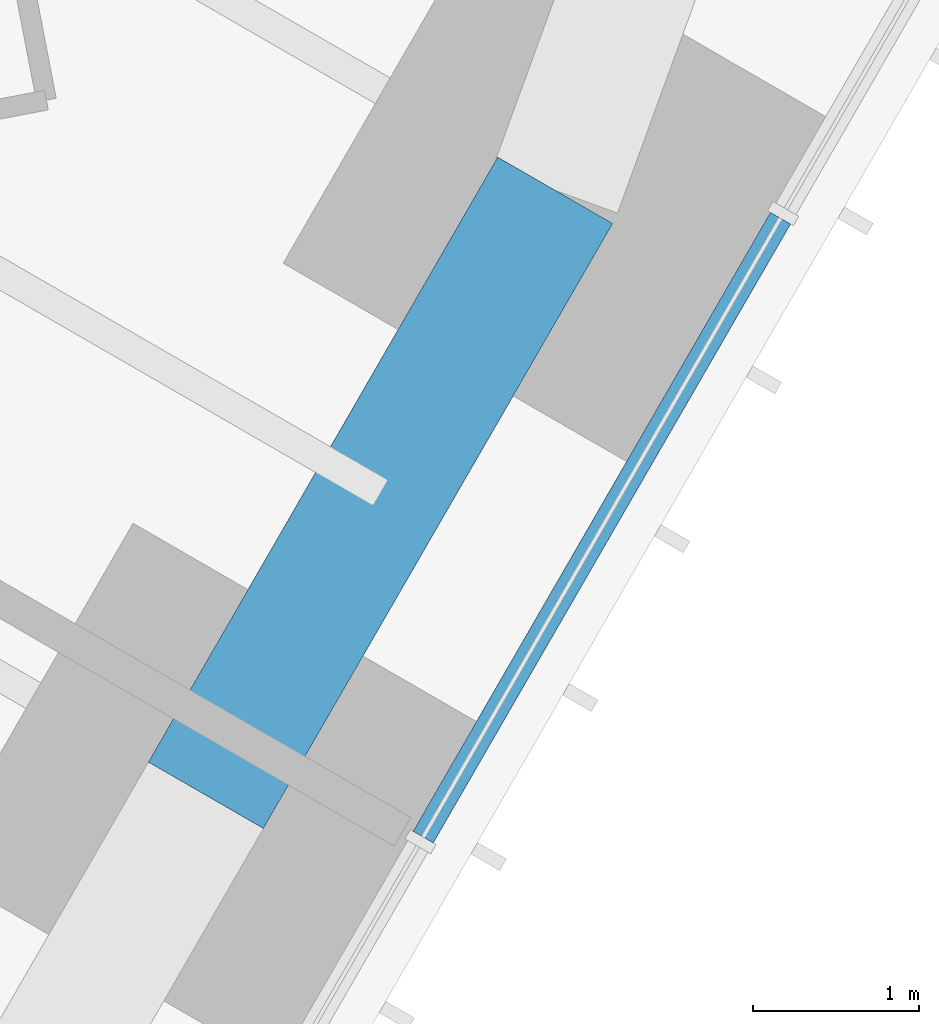
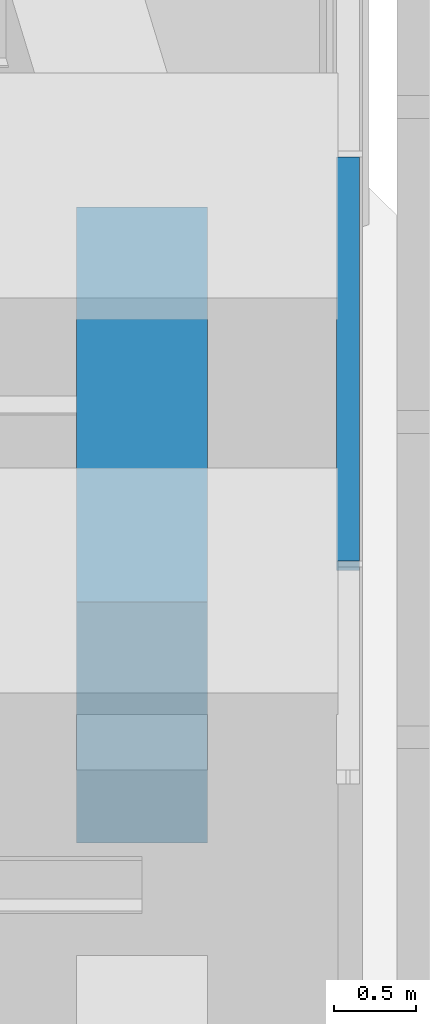
# One storey, part 126 of 256: 1 beam, 1 member, 1 element without a shape of its own.
"""IFC4 building model written with IfcOpenShell, lengths in metres."""

from ifc_helpers import new_model, si_unit, direction, frame, origin, origin_2d, place, context, subcontext, project, spatial, rectangle, extrude, material, material_profile, profile_set, type_object, element, aggregate, save


model = new_model("IFC4")

# Units and contexts
model_context = context("Model", 3, precision=1e-05, world=origin(), true_north=direction((0.0, 1.0)))
body_context = subcontext(model_context, "Body", "Model", "MODEL_VIEW")
ifc_project = project(units=[si_unit("LENGTHUNIT", "METRE"), si_unit("AREAUNIT", "SQUARE_METRE"), si_unit("VOLUMEUNIT", "CUBIC_METRE"), si_unit("PLANEANGLEUNIT", "RADIAN"), si_unit("MASSUNIT", "GRAM", prefix="KILO")], contexts=[model_context])

# Site, building, storey
site_placement = place(None, origin())
site = spatial("IfcSite", under=ifc_project, at=site_placement, CompositionType="ELEMENT")
building_placement = place(site_placement, origin())
building = spatial("IfcBuilding", under=site, at=building_placement, Name="Sandreach Pilgrim Tower", CompositionType="ELEMENT")
storey_placement = place(building_placement, frame((0.0, 0.0, 23.0)))
storey = spatial("IfcBuildingStorey", under=building, at=storey_placement, Name="L04", CompositionType="ELEMENT", Elevation=23.0)

# Curtain wall, member
ifc_material_1 = material(Name="Aluminium framed curtain wall", Category="aluminium")
curtain_wall_type = type_object("IfcCurtainWallType", Name="Hostel tower curtain wall", PredefinedType="NOTDEFINED", material=ifc_material_1)
curtain_wall_placement = place(storey_placement, origin())
curtain_wall = element("IfcCurtainWall", 1, at=curtain_wall_placement, inside=storey, type_object=curtain_wall_type, Name="CW-1 L04 SE", PredefinedType="NOTDEFINED")
ifc_material_2 = material(Name="Aluminium extrusion", Category="aluminium")
ifc_material_profile_1 = material_profile(ifc_material_2, rectangle(XDim=0.139892578125, YDim=0.070068359375, at=origin_2d()), Name="CW-1T 140X70")
ifc_profile_set_1 = profile_set([ifc_material_profile_1], Name="Aluminium extrusion")
member_type = type_object("IfcMemberType", Name="CW-1 transom", PredefinedType="USERDEFINED", material=ifc_profile_set_1)
member_placement = place(storey_placement, frame((28.374267578125, 1.248046875, 3.60498046875), z_axis=(-0.500016891966, -0.866015650984, 0.0), x_axis=(0.866015650984, -0.500016891966, 0.0)))
member = element("IfcMember", 2, at=member_placement, type_object=member_type, Name="CW-1 head transom 2", ObjectType="TRANSOM", PredefinedType="USERDEFINED", context=body_context, shape_type="SweptSolid", body=[
    extrude(rectangle(XDim=0.139892578125, YDim=0.070068359375, at=origin_2d()), origin(), (0.0, 0.0, 1.0), 4.306396484375),
])
aggregate(curtain_wall, [member])

# Beam
ifc_material_3 = material(Name="Concrete 10000 psi", Category="concrete")
ifc_material_profile_2 = material_profile(ifc_material_3, rectangle(XDim=0.800048828125, YDim=1.800048828125, at=origin_2d()), Name="RC800X1800")
ifc_profile_set_2 = profile_set([ifc_material_profile_2], Name="Concrete 10000 psi")
beam_type = type_object("IfcBeamType", Name="Spandrel beam RC800X1800", PredefinedType="SPANDREL", material=ifc_profile_set_2)
beam_placement = place(storey_placement, frame((27.016357421875, 1.416259765625, 2.739990234375), z_axis=(-0.499993523031, -0.866029143232, 0.0), x_axis=(0.866029143232, -0.499993523031, 0.0)))
element("IfcBeam", 3, at=beam_placement, inside=storey, type_object=beam_type, Name="BM L04 SP14", PredefinedType="SPANDREL", context=body_context, shape_type="SweptSolid", body=[
    extrude(rectangle(XDim=0.800048828125, YDim=1.800048828125, at=origin_2d()), origin(), (0.0, 0.0, 1.0), 4.2099609375),
])

save(model, "model.ifc")
